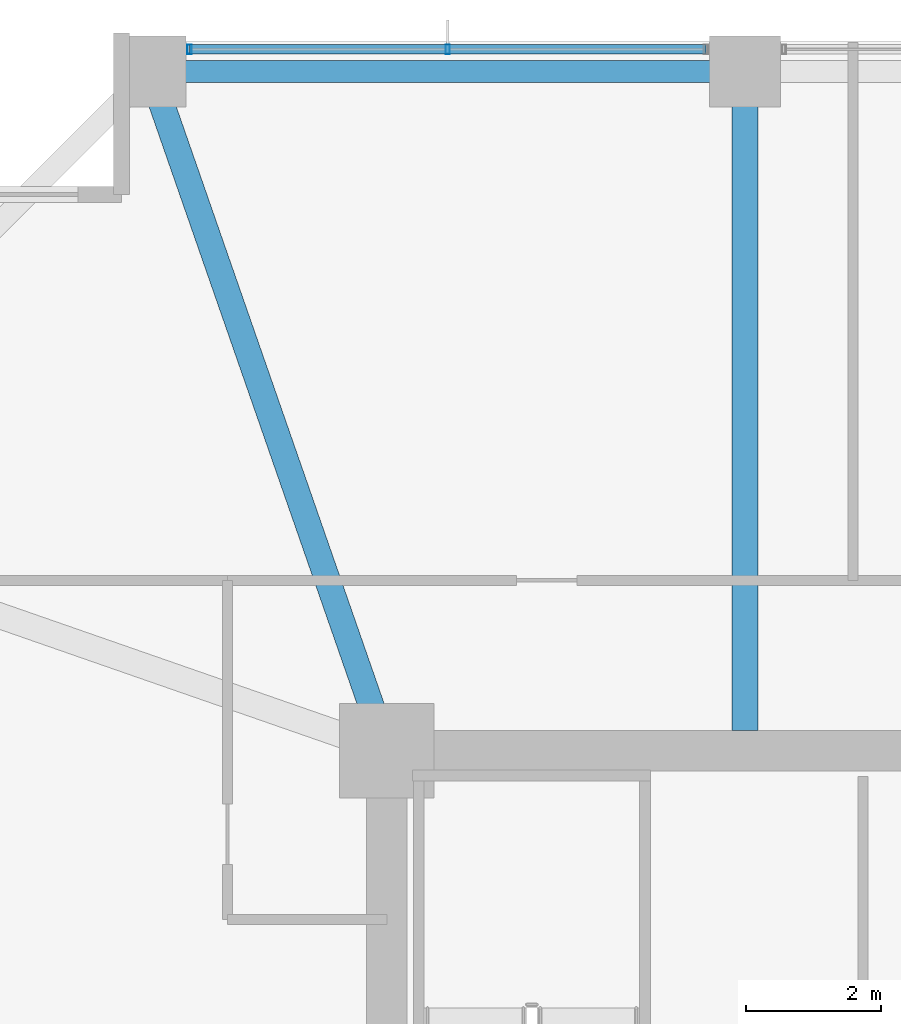
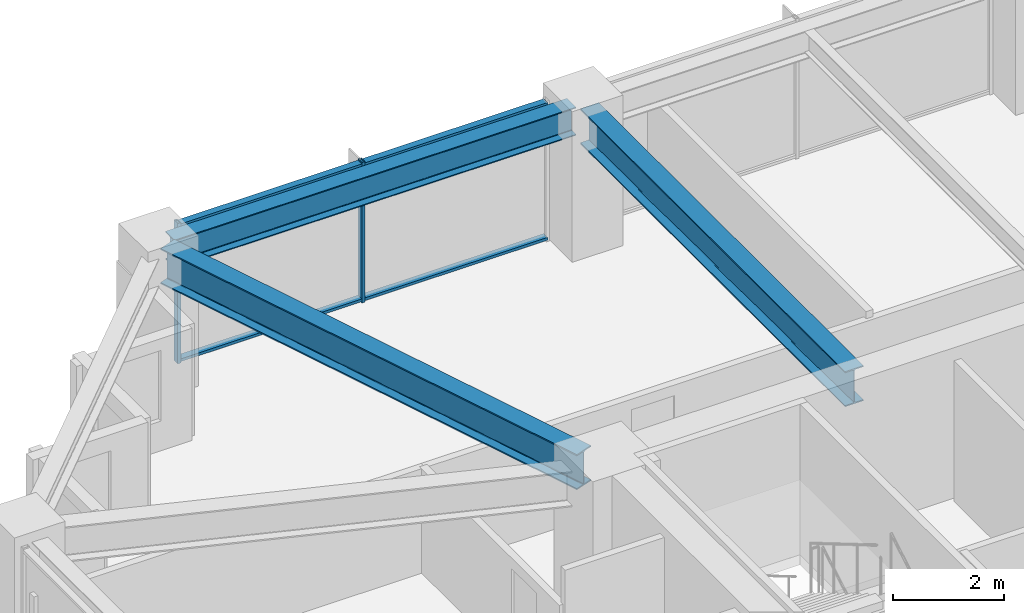
# One storey, part 20 of 36: 4 members, 3 beams, 1 element without a shape of its own.
"""IFC4 building model written with IfcOpenShell, lengths in metres."""

from ifc_helpers import new_model, si_unit, direction, frame, origin, origin_2d, place, context, subcontext, project, spatial, hollow_rectangle, i_section, extrude, material, material_profile, profile_set, type_object, element, aggregate, save


model = new_model("IFC4")

# Units and contexts
model_context = context("Model", 3, precision=1e-05, world=origin(), true_north=direction((0.0, 1.0)))
body_context = subcontext(model_context, "Body", "Model", "MODEL_VIEW")
ifc_project = project(units=[si_unit("LENGTHUNIT", "METRE"), si_unit("AREAUNIT", "SQUARE_METRE"), si_unit("VOLUMEUNIT", "CUBIC_METRE"), si_unit("PLANEANGLEUNIT", "RADIAN"), si_unit("MASSUNIT", "GRAM", prefix="KILO")], contexts=[model_context])

# Site, building, storey
site_placement = place(None, origin())
site = spatial("IfcSite", under=ifc_project, at=site_placement, CompositionType="ELEMENT")
building_placement = place(site_placement, origin())
building = spatial("IfcBuilding", under=site, at=building_placement, Name="Kolvaren Belvedere", CompositionType="ELEMENT")
storey_placement = place(building_placement, frame((0.0, 0.0, 88.699951171875)))
storey = spatial("IfcBuildingStorey", under=building, at=storey_placement, Name="L25", CompositionType="ELEMENT", Elevation=88.699951171875)

# Beams
ifc_material_1 = material(Name="Structural steel ASTM A992 Grade 50", Category="steel")
ifc_material_profile_1 = material_profile(ifc_material_1, i_section(OverallWidth=0.381103515625, OverallDepth=0.77294921875, WebThickness=0.0166015625, FlangeThickness=0.027099609375, FilletRadius=0.02392578125, at=origin_2d()), Name="W30X173")
ifc_profile_set_1 = profile_set([ifc_material_profile_1], Name="Structural steel ASTM A992 Grade 50")
beam_type_1 = type_object("IfcBeamType", Name="BM-GIRD-W30X173", PredefinedType="BEAM", material=ifc_profile_set_1)
beam_1_placement = place(storey_placement, frame((-4.60009765625, 10.199951171875, 2.693603515625), z_axis=(0.0, 1.0, 0.0), x_axis=(-1.0, 0.0, 0.0)))
element("IfcBeam", 1, at=beam_1_placement, inside=storey, type_object=beam_type_1, Name="L25 North Radial Girder M", PredefinedType="BEAM", context=body_context, shape_type="SweptSolid", body=[
    extrude(i_section(OverallWidth=0.381103515625, OverallDepth=0.77294921875, WebThickness=0.0166015625, FlangeThickness=0.027099609375, FilletRadius=0.02392578125, at=origin_2d()), origin(), (0.0, 0.0, 1.0), 9.513916015625),
])
beam_2_placement = place(storey_placement, frame((-10.080810546875, 10.41943359375, 2.693603515625), z_axis=(-0.328880894453, 0.944371408538, 0.0), x_axis=(-0.944371408538, -0.328880894453, 0.0)))
element("IfcBeam", 2, at=beam_2_placement, inside=storey, type_object=beam_type_1, Name="L25 Corner Core-to-Perimeter Girder CC4-N1", PredefinedType="BEAM", context=body_context, shape_type="SweptSolid", body=[
    extrude(i_section(OverallWidth=0.381103515625, OverallDepth=0.77294921875, WebThickness=0.0166015625, FlangeThickness=0.027099609375, FilletRadius=0.02392578125, at=origin_2d()), origin(), (0.0, 0.0, 1.0), 9.882080078125),
])
ifc_material_2 = material(Name="Structural steel ASTM A992 Grade 50", Category="steel")
ifc_material_profile_2 = material_profile(ifc_material_2, i_section(OverallWidth=0.324951171875, OverallDepth=0.615966796875, WebThickness=0.013916015625, FlangeThickness=0.021484375, FilletRadius=0.02001953125, at=origin_2d()), Name="W24X117")
ifc_profile_set_2 = profile_set([ifc_material_profile_2], Name="Structural steel ASTM A992 Grade 50")
beam_type_2 = type_object("IfcBeamType", Name="BM-SPAN-W24X117", PredefinedType="SPANDREL", material=ifc_profile_set_2)
beam_3_placement = place(storey_placement, frame((-4.836181640625, 19.949951171875, 2.77197265625), z_axis=(-1.0, 0.0, 0.0), x_axis=(0.0, -1.0, 0.0)))
element("IfcBeam", 3, at=beam_3_placement, inside=storey, type_object=beam_type_2, Name="L25 Perimeter Spandrel N2-N1", PredefinedType="SPANDREL", context=body_context, shape_type="SweptSolid", body=[
    extrude(i_section(OverallWidth=0.324951171875, OverallDepth=0.615966796875, WebThickness=0.013916015625, FlangeThickness=0.021484375, FilletRadius=0.02001953125, at=origin_2d()), origin(), (0.0, 0.0, 1.0), 8.32763671875),
])

# Curtain wall, members
ifc_material_3 = material(Name="Anodised pale-metal aluminium AA 6063-T6", Category="aluminium")
curtain_wall_type = type_object("IfcCurtainWallType", Name="CW-Z2-MID", PredefinedType="NOTDEFINED", material=ifc_material_3)
curtain_wall_placement = place(storey_placement, origin())
curtain_wall = element("IfcCurtainWall", 4, at=curtain_wall_placement, inside=storey, type_object=curtain_wall_type, Name="L25 Unitised Curtain Wall FCW-L25-N-B1", PredefinedType="NOTDEFINED")
ifc_material_4 = material(Name="Anodised pale-metal aluminium AA 6063-T6", Category="aluminium")
ifc_material_profile_3 = material_profile(ifc_material_4, hollow_rectangle(XDim=0.06494140625, YDim=0.139892578125, WallThickness=0.00390625, at=origin_2d()), Name="ALU-MUL-140X65")
ifc_profile_set_3 = profile_set([ifc_material_profile_3], Name="Anodised pale-metal aluminium AA 6063-T6")
member_type_1 = type_object("IfcMemberType", Name="CW-MUL-140", PredefinedType="MULLION", material=ifc_profile_set_3)
member_1_placement = place(storey_placement, frame((-12.822509765625, 20.280029296875, 0.0), z_axis=(0.0, 0.0, 1.0), x_axis=(1.0, 0.0, 0.0)))
member_1 = element("IfcMember", 5, at=member_1_placement, type_object=member_type_1, Name="FCW-L25-N-B1 Unitised Mullion 1", PredefinedType="MULLION", context=body_context, shape_type="SweptSolid", body=[
    extrude(hollow_rectangle(XDim=0.06494140625, YDim=0.139892578125, WallThickness=0.00390625, at=origin_2d()), origin(), (0.0, 0.0, 1.0), 3.080078125),
])
member_2_placement = place(storey_placement, frame((-9.0, 20.280029296875, 0.0), z_axis=(0.0, 0.0, 1.0), x_axis=(1.0, 0.0, 0.0)))
member_2 = element("IfcMember", 6, at=member_2_placement, type_object=member_type_1, Name="FCW-L25-N-B1 Unitised Mullion 2", PredefinedType="MULLION", context=body_context, shape_type="SweptSolid", body=[
    extrude(hollow_rectangle(XDim=0.06494140625, YDim=0.139892578125, WallThickness=0.00390625, at=origin_2d()), origin(), (0.0, 0.0, 1.0), 3.080078125),
])
ifc_material_5 = material(Name="Anodised pale-metal aluminium AA 6063-T6", Category="aluminium")
ifc_material_profile_4 = material_profile(ifc_material_5, hollow_rectangle(XDim=0.06005859375, YDim=0.139892578125, WallThickness=0.00390625, at=origin_2d()), Name="ALU-TRN-140X60")
ifc_profile_set_4 = profile_set([ifc_material_profile_4], Name="Anodised pale-metal aluminium AA 6063-T6")
member_type_2 = type_object("IfcMemberType", Name="CW-TRN-140", PredefinedType="USERDEFINED", material=ifc_profile_set_4)
member_3_placement = place(storey_placement, frame((-12.822509765625, 20.280029296875, 0.06005859375), z_axis=(1.0, 0.0, 0.0), x_axis=(0.0, 0.0, 1.0)))
member_3 = element("IfcMember", 7, at=member_3_placement, type_object=member_type_2, Name="FCW-L25-N-B1 Sill Transom", ObjectType="TRANSOM", PredefinedType="USERDEFINED", context=body_context, shape_type="SweptSolid", body=[
    extrude(hollow_rectangle(XDim=0.06005859375, YDim=0.139892578125, WallThickness=0.00390625, at=origin_2d()), origin(), (0.0, 0.0, 1.0), 7.64501953125),
])
member_4_placement = place(storey_placement, frame((-12.822509765625, 20.280029296875, 3.02001953125), z_axis=(1.0, 0.0, 0.0), x_axis=(0.0, 0.0, 1.0)))
member_4 = element("IfcMember", 8, at=member_4_placement, type_object=member_type_2, Name="FCW-L25-N-B1 Head Transom", ObjectType="TRANSOM", PredefinedType="USERDEFINED", context=body_context, shape_type="SweptSolid", body=[
    extrude(hollow_rectangle(XDim=0.06005859375, YDim=0.139892578125, WallThickness=0.00390625, at=origin_2d()), origin(), (0.0, 0.0, 1.0), 7.64501953125),
])
aggregate(curtain_wall, [member_1, member_2, member_3, member_4])

save(model, "model.ifc")
